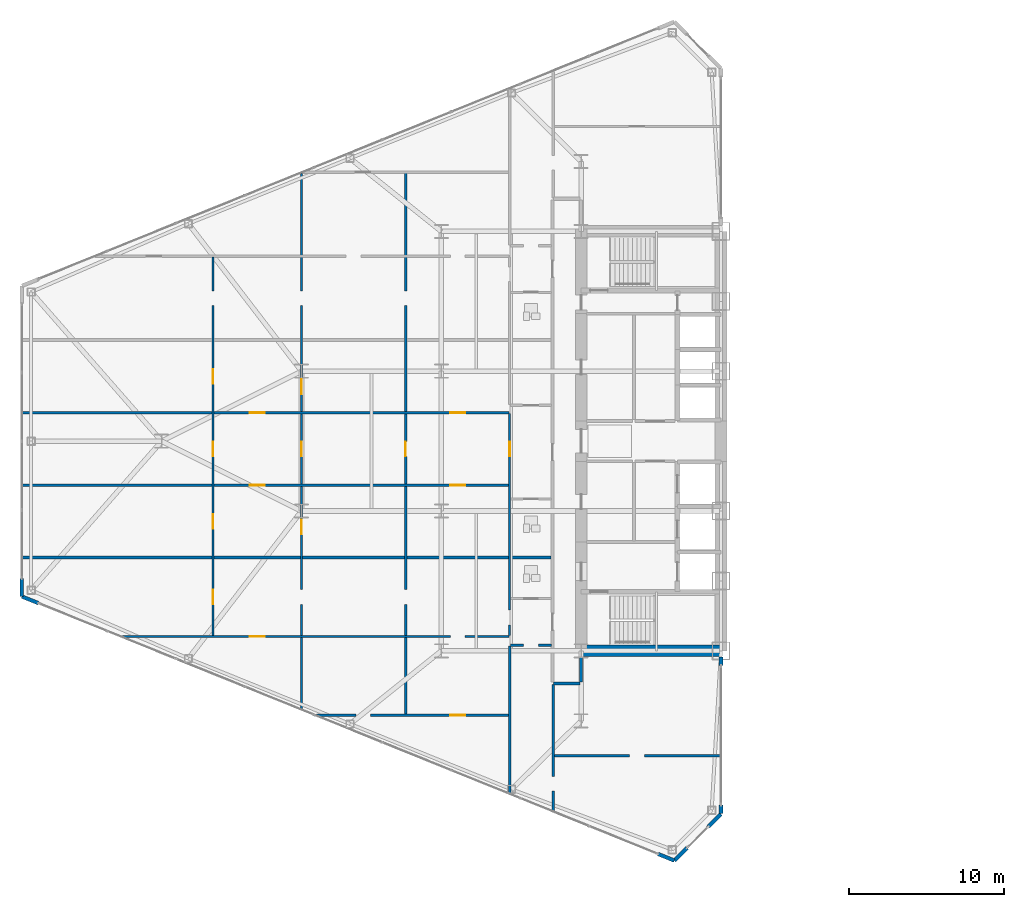
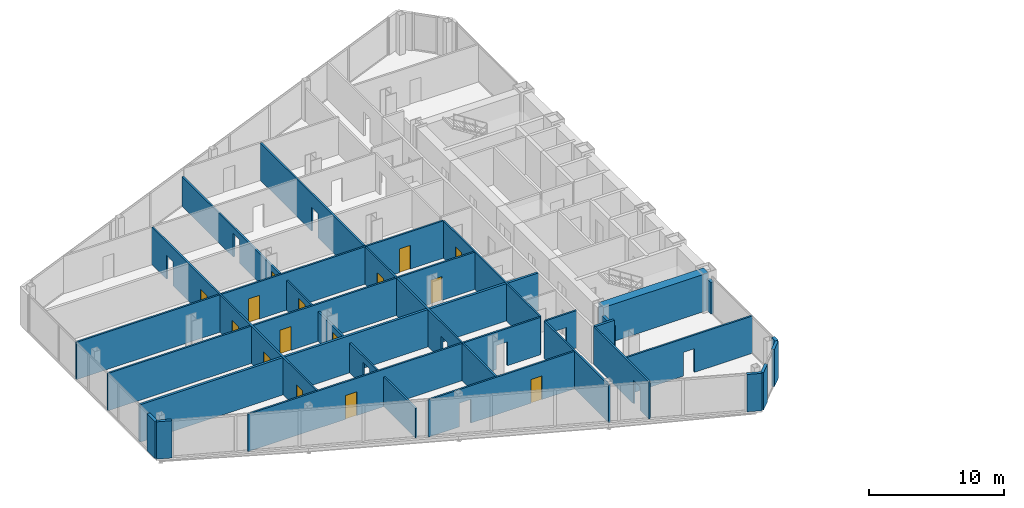
# One storey, part 17 of 25: 23 walls, 15 doors, 26 openings.
"""IFC4 building model written with IfcOpenShell, lengths in metres."""

from ifc_helpers import new_model, si_unit, direction, frame, frame_2d, origin, place, context, subcontext, project, spatial, rectangle, extrude, source, transform, mapped, material, layer, layer_set, type_object, type_shapes, element, fill, save


model = new_model("IFC4")

# Units and contexts
model_context = context("Model", 3, precision=1e-05, world=origin(), true_north=direction((0.0, 1.0)))
body_context = subcontext(model_context, "Body", "Model", "MODEL_VIEW")
ifc_project = project(units=[si_unit("LENGTHUNIT", "METRE"), si_unit("AREAUNIT", "SQUARE_METRE"), si_unit("VOLUMEUNIT", "CUBIC_METRE"), si_unit("PLANEANGLEUNIT", "RADIAN"), si_unit("MASSUNIT", "GRAM", prefix="KILO")], contexts=[model_context])

# Site, building, storey
site_placement = place(None, origin())
site = spatial("IfcSite", under=ifc_project, at=site_placement, CompositionType="ELEMENT")
building_placement = place(site_placement, origin())
building = spatial("IfcBuilding", under=site, at=building_placement, Name="Seokmaru Belvedere", CompositionType="ELEMENT")
storey_placement = place(building_placement, frame((0.0, 0.0, 22.5)))
storey = spatial("IfcBuildingStorey", under=building, at=storey_placement, Name="L05", CompositionType="ELEMENT", Elevation=22.5)

# Wall, opening
ifc_material_1 = material(Name="Fire-Rated Gypsum Shaftwall")
ifc_layer_1 = layer(ifc_material_1, 0.14990234375)
ifc_layer_set_1 = layer_set([ifc_layer_1], Name="Fire-Rated Gypsum Shaftwall")
wall_type_1 = type_object("IfcWallType", Name="Apartment Fire-Acoustic Room Partition 150", PredefinedType="PARTITIONING", material=ifc_layer_set_1)
wall_1_placement = place(storey_placement, frame((-38.25, -20.25, 0.0), z_axis=(0.0, 0.0, 1.0), x_axis=(1.0, 0.0, 0.0)))
wall_1 = element("IfcWall", 1, at=wall_1_placement, inside=storey, type_object=wall_type_1, Name="L05 Interior Partition 001", PredefinedType="PARTITIONING", context=body_context, shape_type="SweptSolid", body=[
    extrude(rectangle(XDim=10.784912109375, YDim=0.14990234375, at=frame_2d((5.392578125, 0.0))), origin(), (0.0, 0.0, 1.0), 3.3798828125),
])
opening_1_placement = place(wall_1_placement, frame((4.875, 0.0, 0.0)))
element("IfcOpeningElement", 2, at=opening_1_placement, cuts=wall_1, Name="L05 Cased Opening 013", PredefinedType="OPENING", context=body_context, shape_type="SweptSolid", body=[
    extrude(rectangle(XDim=0.949951171875, YDim=2.14990234375, at=frame_2d((0.47509765625, 1.074951171875))), frame((0.0, 0.0849609375, 0.0), z_axis=(0.0, -1.0, 0.0), x_axis=(1.0, 0.0, 0.0)), (0.0, 0.0, 1.0), 0.169921875),
])

# Wall, openings, door
wall_2_placement = place(storey_placement, frame((-53.659912109375, -17.639892578125, 0.0), z_axis=(0.0, 0.0, 1.0), x_axis=(1.0, 0.0, 0.0)))
wall_2 = element("IfcWall", 3, at=wall_2_placement, inside=storey, type_object=wall_type_1, Name="L05 Interior Partition 003", PredefinedType="PARTITIONING", context=body_context, shape_type="SweptSolid", body=[
    extrude(rectangle(XDim=12.510009765625, YDim=0.14990234375, at=frame_2d((6.2548828125, 0.0))), origin(), (0.0, 0.0, 1.0), 3.3798828125),
])
opening_2_placement = place(wall_2_placement, frame((8.735107421875, 0.0, 0.0)))
opening_2 = element("IfcOpeningElement", 4, at=opening_2_placement, cuts=wall_2, Name="Opening D05", PredefinedType="OPENING", context=body_context, shape_type="SweptSolid", body=[
    extrude(rectangle(XDim=0.949951171875, YDim=2.14990234375, at=frame_2d((0.47509765625, 1.074951171875))), frame((0.0, 0.0849609375, 0.0), z_axis=(0.0, -1.0, 0.0), x_axis=(1.0, 0.0, 0.0)), (0.0, 0.0, 1.0), 0.169921875),
])
opening_3_placement = place(wall_2_placement, frame((2.658935546875, 0.0, 0.0)))
element("IfcOpeningElement", 5, at=opening_3_placement, cuts=wall_2, Name="L05 Cased Opening 011", PredefinedType="OPENING", context=body_context, shape_type="SweptSolid", body=[
    extrude(rectangle(XDim=0.949951171875, YDim=2.14990234375, at=frame_2d((0.47509765625, 1.074951171875))), frame((0.0, 0.0849609375, 0.0), z_axis=(0.0, -1.0, 0.0), x_axis=(1.0, 0.0, 0.0)), (0.0, 0.0, 1.0), 0.169921875),
])
ifc_material_2 = material(Name="Engineered White Oak Timber", Category="wood")
door_type = type_object("IfcDoorType", Name="Apartment Interior Fire-Rated Oak Door 950x2150", OperationType="NOTDEFINED", PredefinedType="DOOR", material=ifc_material_2)
shared_shape = source(origin(), body_context, "Body", "SweptSolid", [
    extrude(rectangle(XDim=0.949951171875, YDim=2.14990234375, at=frame_2d((0.47509765625, 1.074951171875))), frame((0.0, 0.02490234375, 0.0), z_axis=(0.0, -1.0, 0.0), x_axis=(1.0, 0.0, 0.0)), (0.0, 0.0, 1.0), 0.050048828125),
])
type_shapes(door_type, [shared_shape])
door_1_placement = place(opening_2_placement, origin())
door_1 = element("IfcDoor", 6, at=door_1_placement, inside=storey, type_object=door_type, Name="L05 Interior Door 010", OperationType="SINGLE_SWING_LEFT", OverallHeight=2.14990234375, OverallWidth=0.949951171875, PredefinedType="DOOR", context=body_context, shape_type="MappedRepresentation", body=[
    mapped(shared_shape, transform((0.0, 0.0, 0.0), scale=1.0)),
])
fill(opening_2, door_1)

# Wall, opening
wall_3_placement = place(storey_placement, frame((-41.050048828125, -13.139892578125, 0.0), z_axis=(0.0, 0.0, 1.0), x_axis=(1.0, 0.0, 0.0)))
wall_3 = element("IfcWall", 7, at=wall_3_placement, inside=storey, type_object=wall_type_1, Name="L05 Interior Partition 009", PredefinedType="PARTITIONING", context=body_context, shape_type="SweptSolid", body=[
    extrude(rectangle(XDim=2.650146484375, YDim=0.14990234375, at=frame_2d((1.3251953125, 0.0))), origin(), (0.0, 0.0, 1.0), 3.3798828125),
])
opening_4_placement = place(wall_3_placement, frame((0.85009765625, 0.0, 0.0)))
element("IfcOpeningElement", 8, at=opening_4_placement, cuts=wall_3, Name="L05 Cased Opening 003", PredefinedType="OPENING", context=body_context, shape_type="SweptSolid", body=[
    extrude(rectangle(XDim=0.949951171875, YDim=2.14990234375, at=frame_2d((0.47509765625, 1.074951171875))), frame((0.0, 0.0849609375, 0.0), z_axis=(0.0, -1.0, 0.0), x_axis=(1.0, 0.0, 0.0)), (0.0, 0.0, 1.0), 0.169921875),
])

# Wall, openings, door
wall_4_placement = place(storey_placement, frame((-66.18603515625, -12.570068359375, 0.0), z_axis=(0.0, 0.0, 1.0), x_axis=(1.0, 0.0, 0.0)))
wall_4 = element("IfcWall", 9, at=wall_4_placement, inside=storey, type_object=wall_type_1, Name="L05 Interior Partition 010", PredefinedType="PARTITIONING", context=body_context, shape_type="SweptSolid", body=[
    extrude(rectangle(XDim=25.0361328125, YDim=0.14990234375, at=frame_2d((12.51806640625, 0.0))), origin(), (0.0, 0.0, 1.0), 3.3798828125),
])
opening_5_placement = place(wall_4_placement, frame((21.260986328125, 0.0, 0.0)))
element("IfcOpeningElement", 10, at=opening_5_placement, cuts=wall_4, Name="L05 Cased Opening 005", PredefinedType="OPENING", context=body_context, shape_type="SweptSolid", body=[
    extrude(rectangle(XDim=0.949951171875, YDim=2.14990234375, at=frame_2d((0.47509765625, 1.074951171875))), frame((0.0, 0.0849609375, 0.0), z_axis=(0.0, -1.0, 0.0), x_axis=(1.0, 0.0, 0.0)), (0.0, 0.0, 1.0), 0.169921875),
])
opening_6_placement = place(wall_4_placement, frame((8.361083984375, 0.0, 0.0)))
opening_6 = element("IfcOpeningElement", 11, at=opening_6_placement, cuts=wall_4, Name="Opening D05", PredefinedType="OPENING", context=body_context, shape_type="SweptSolid", body=[
    extrude(rectangle(XDim=0.949951171875, YDim=2.14990234375, at=frame_2d((0.47509765625, 1.074951171875))), frame((0.0, 0.0849609375, 0.0), z_axis=(0.0, -1.0, 0.0), x_axis=(1.0, 0.0, 0.0)), (0.0, 0.0, 1.0), 0.169921875),
])
door_2_placement = place(opening_6_placement, origin())
door_2 = element("IfcDoor", 12, at=door_2_placement, inside=storey, type_object=door_type, Name="L05 Interior Door 008", OperationType="SINGLE_SWING_LEFT", OverallHeight=2.14990234375, OverallWidth=0.949951171875, PredefinedType="DOOR", context=body_context, shape_type="MappedRepresentation", body=[
    mapped(shared_shape, transform((0.0, 0.0, 0.0), scale=1.0)),
])
fill(opening_6, door_2)

# Wall, openings, doors
wall_5_placement = place(storey_placement, frame((-72.534912109375, -2.830078125, 0.0), z_axis=(0.0, 0.0, 1.0), x_axis=(1.0, 0.0, 0.0)))
wall_5 = element("IfcWall", 13, at=wall_5_placement, inside=storey, type_object=wall_type_1, Name="L05 Interior Partition 018", PredefinedType="PARTITIONING", context=body_context, shape_type="SweptSolid", body=[
    extrude(rectangle(XDim=31.385009765625, YDim=0.14990234375, at=frame_2d((15.6923828125, 0.0))), origin(), (0.0, 0.0, 1.0), 3.3798828125),
])
opening_7_placement = place(wall_5_placement, frame((27.610107421875, 0.0, 0.0)))
opening_7 = element("IfcOpeningElement", 14, at=opening_7_placement, cuts=wall_5, Name="Opening D05", PredefinedType="OPENING", context=body_context, shape_type="SweptSolid", body=[
    extrude(rectangle(XDim=0.949951171875, YDim=2.14990234375, at=frame_2d((0.47509765625, 1.074951171875))), frame((0.0, 0.0849609375, 0.0), z_axis=(0.0, -1.0, 0.0), x_axis=(1.0, 0.0, 0.0)), (0.0, 0.0, 1.0), 0.169921875),
])
opening_8_placement = place(wall_5_placement, frame((14.7099609375, 0.0, 0.0)))
opening_8 = element("IfcOpeningElement", 15, at=opening_8_placement, cuts=wall_5, Name="Opening D05", PredefinedType="OPENING", context=body_context, shape_type="SweptSolid", body=[
    extrude(rectangle(XDim=0.949951171875, YDim=2.14990234375, at=frame_2d((0.47509765625, 1.074951171875))), frame((0.0, 0.0849609375, 0.0), z_axis=(0.0, -1.0, 0.0), x_axis=(1.0, 0.0, 0.0)), (0.0, 0.0, 1.0), 0.169921875),
])
door_3_placement = place(opening_7_placement, origin())
door_3 = element("IfcDoor", 16, at=door_3_placement, inside=storey, type_object=door_type, Name="L05 Interior Door 018", OperationType="SINGLE_SWING_LEFT", OverallHeight=2.14990234375, OverallWidth=0.949951171875, PredefinedType="DOOR", context=body_context, shape_type="MappedRepresentation", body=[
    mapped(shared_shape, transform((0.0, 0.0, 0.0), scale=1.0)),
])
fill(opening_7, door_3)
door_4_placement = place(opening_8_placement, origin())
door_4 = element("IfcDoor", 17, at=door_4_placement, inside=storey, type_object=door_type, Name="L05 Interior Door 022", OperationType="SINGLE_SWING_LEFT", OverallHeight=2.14990234375, OverallWidth=0.949951171875, PredefinedType="DOOR", context=body_context, shape_type="MappedRepresentation", body=[
    mapped(shared_shape, transform((0.0, 0.0, 0.0), scale=1.0)),
])
fill(opening_8, door_4)

wall_6_placement = place(storey_placement, frame((-72.534912109375, 1.830078125, 0.0), z_axis=(0.0, 0.0, 1.0), x_axis=(1.0, 0.0, 0.0)))
wall_6 = element("IfcWall", 18, at=wall_6_placement, inside=storey, type_object=wall_type_1, Name="L05 Interior Partition 021", PredefinedType="PARTITIONING", context=body_context, shape_type="SweptSolid", body=[
    extrude(rectangle(XDim=31.385009765625, YDim=0.14990234375, at=frame_2d((15.6923828125, 0.0))), origin(), (0.0, 0.0, 1.0), 3.3798828125),
])
opening_9_placement = place(wall_6_placement, frame((27.610107421875, 0.0, 0.0)))
opening_9 = element("IfcOpeningElement", 19, at=opening_9_placement, cuts=wall_6, Name="Opening D05", PredefinedType="OPENING", context=body_context, shape_type="SweptSolid", body=[
    extrude(rectangle(XDim=0.949951171875, YDim=2.14990234375, at=frame_2d((0.47509765625, 1.074951171875))), frame((0.0, 0.0849609375, 0.0), z_axis=(0.0, -1.0, 0.0), x_axis=(1.0, 0.0, 0.0)), (0.0, 0.0, 1.0), 0.169921875),
])
opening_10_placement = place(wall_6_placement, frame((14.7099609375, 0.0, 0.0)))
opening_10 = element("IfcOpeningElement", 20, at=opening_10_placement, cuts=wall_6, Name="Opening D05", PredefinedType="OPENING", context=body_context, shape_type="SweptSolid", body=[
    extrude(rectangle(XDim=0.949951171875, YDim=2.14990234375, at=frame_2d((0.47509765625, 1.074951171875))), frame((0.0, 0.0849609375, 0.0), z_axis=(0.0, -1.0, 0.0), x_axis=(1.0, 0.0, 0.0)), (0.0, 0.0, 1.0), 0.169921875),
])
door_5_placement = place(opening_9_placement, origin())
door_5 = element("IfcDoor", 21, at=door_5_placement, inside=storey, type_object=door_type, Name="L05 Interior Door 020", OperationType="SINGLE_SWING_RIGHT", OverallHeight=2.14990234375, OverallWidth=0.949951171875, PredefinedType="DOOR", context=body_context, shape_type="MappedRepresentation", body=[
    mapped(shared_shape, transform((0.0, 0.0, 0.0), scale=1.0)),
])
fill(opening_9, door_5)
door_6_placement = place(opening_10_placement, origin())
door_6 = element("IfcDoor", 22, at=door_6_placement, inside=storey, type_object=door_type, Name="L05 Interior Door 025", OperationType="SINGLE_SWING_LEFT", OverallHeight=2.14990234375, OverallWidth=0.949951171875, PredefinedType="DOOR", context=body_context, shape_type="MappedRepresentation", body=[
    mapped(shared_shape, transform((0.0, 0.0, 0.0), scale=1.0)),
])
fill(opening_10, door_6)

wall_7_placement = place(storey_placement, frame((-60.199951171875, -12.52001953125, 0.0), z_axis=(0.0, 0.0, 1.0), x_axis=(0.0, 1.0, 0.0)))
wall_7 = element("IfcWall", 23, at=wall_7_placement, inside=storey, type_object=wall_type_1, Name="L05 Interior Partition 038", PredefinedType="PARTITIONING", context=body_context, shape_type="SweptSolid", body=[
    extrude(rectangle(XDim=24.373046875, YDim=0.14990234375, at=frame_2d((12.1865234375, 0.0))), origin(), (0.0, 0.0, 1.0), 3.3798828125),
])
opening_11_placement = place(wall_7_placement, frame((2.010009765625, 0.0, 0.0)))
opening_11 = element("IfcOpeningElement", 24, at=opening_11_placement, cuts=wall_7, Name="Opening D05", PredefinedType="OPENING", context=body_context, shape_type="SweptSolid", body=[
    extrude(rectangle(XDim=0.949951171875, YDim=2.14990234375, at=frame_2d((0.47509765625, 1.074951171875))), frame((0.0, 0.0849609375, 0.0), z_axis=(0.0, -1.0, 0.0), x_axis=(1.0, 0.0, 0.0)), (0.0, 0.0, 1.0), 0.169921875),
])
opening_12_placement = place(wall_7_placement, frame((6.87841796875, 0.0, 0.0)))
opening_12 = element("IfcOpeningElement", 25, at=opening_12_placement, cuts=wall_7, Name="Opening D05", PredefinedType="OPENING", context=body_context, shape_type="SweptSolid", body=[
    extrude(rectangle(XDim=0.949951171875, YDim=2.14990234375, at=frame_2d((0.47509765625, 1.074951171875))), frame((0.0, 0.0849609375, 0.0), z_axis=(0.0, -1.0, 0.0), x_axis=(1.0, 0.0, 0.0)), (0.0, 0.0, 1.0), 0.169921875),
])
opening_13_placement = place(wall_7_placement, frame((11.544921875, 0.0, 0.0)))
opening_13 = element("IfcOpeningElement", 26, at=opening_13_placement, cuts=wall_7, Name="Opening D05", PredefinedType="OPENING", context=body_context, shape_type="SweptSolid", body=[
    extrude(rectangle(XDim=0.949951171875, YDim=2.14990234375, at=frame_2d((0.47509765625, 1.074951171875))), frame((0.0, 0.0849609375, 0.0), z_axis=(0.0, -1.0, 0.0), x_axis=(1.0, 0.0, 0.0)), (0.0, 0.0, 1.0), 0.169921875),
])
opening_14_placement = place(wall_7_placement, frame((16.211669921875, 0.0, 0.0)))
opening_14 = element("IfcOpeningElement", 27, at=opening_14_placement, cuts=wall_7, Name="Opening D05", PredefinedType="OPENING", context=body_context, shape_type="SweptSolid", body=[
    extrude(rectangle(XDim=0.949951171875, YDim=2.14990234375, at=frame_2d((0.47509765625, 1.074951171875))), frame((0.0, 0.0849609375, 0.0), z_axis=(0.0, -1.0, 0.0), x_axis=(1.0, 0.0, 0.0)), (0.0, 0.0, 1.0), 0.169921875),
])
opening_15_placement = place(wall_7_placement, frame((21.24658203125, 0.0, 0.0)))
element("IfcOpeningElement", 28, at=opening_15_placement, cuts=wall_7, Name="L05 Cased Opening 036", PredefinedType="OPENING", context=body_context, shape_type="SweptSolid", body=[
    extrude(rectangle(XDim=0.949951171875, YDim=2.14990234375, at=frame_2d((0.47509765625, 1.074951171875))), frame((0.0, 0.0849609375, 0.0), z_axis=(0.0, -1.0, 0.0), x_axis=(1.0, 0.0, 0.0)), (0.0, 0.0, 1.0), 0.169921875),
])
door_7_placement = place(opening_11_placement, origin())
door_7 = element("IfcDoor", 29, at=door_7_placement, inside=storey, type_object=door_type, Name="L05 Interior Door 009", OperationType="SINGLE_SWING_RIGHT", OverallHeight=2.14990234375, OverallWidth=0.949951171875, PredefinedType="DOOR", context=body_context, shape_type="MappedRepresentation", body=[
    mapped(shared_shape, transform((0.0, 0.0, 0.0), scale=1.0)),
])
fill(opening_11, door_7)
door_8_placement = place(opening_12_placement, origin())
door_8 = element("IfcDoor", 30, at=door_8_placement, inside=storey, type_object=door_type, Name="L05 Interior Door 023", OperationType="SINGLE_SWING_RIGHT", OverallHeight=2.14990234375, OverallWidth=0.949951171875, PredefinedType="DOOR", context=body_context, shape_type="MappedRepresentation", body=[
    mapped(shared_shape, transform((0.0, 0.0, 0.0), scale=1.0)),
])
fill(opening_12, door_8)
door_9_placement = place(opening_13_placement, origin())
door_9 = element("IfcDoor", 31, at=door_9_placement, inside=storey, type_object=door_type, Name="L05 Interior Door 024", OperationType="SINGLE_SWING_RIGHT", OverallHeight=2.14990234375, OverallWidth=0.949951171875, PredefinedType="DOOR", context=body_context, shape_type="MappedRepresentation", body=[
    mapped(shared_shape, transform((0.0, 0.0, 0.0), scale=1.0)),
])
fill(opening_13, door_9)
door_10_placement = place(opening_14_placement, origin())
door_10 = element("IfcDoor", 32, at=door_10_placement, inside=storey, type_object=door_type, Name="L05 Interior Door 026", OperationType="SINGLE_SWING_RIGHT", OverallHeight=2.14990234375, OverallWidth=0.949951171875, PredefinedType="DOOR", context=body_context, shape_type="MappedRepresentation", body=[
    mapped(shared_shape, transform((0.0, 0.0, 0.0), scale=1.0)),
])
fill(opening_14, door_10)

wall_8_placement = place(storey_placement, frame((-54.5, -17.321044921875, 0.0), z_axis=(0.0, 0.0, 1.0), x_axis=(0.0, 1.0, 0.0)))
wall_8 = element("IfcWall", 33, at=wall_8_placement, inside=storey, type_object=wall_type_1, Name="L05 Interior Partition 039", PredefinedType="PARTITIONING", context=body_context, shape_type="SweptSolid", body=[
    extrude(rectangle(XDim=34.55712890625, YDim=0.14990234375, at=frame_2d((17.278564453125, 0.0))), origin(), (0.0, 0.0, 1.0), 2.679931640625),
])
opening_16_placement = place(wall_8_placement, frame((6.81103515625, 0.0, 0.0)))
element("IfcOpeningElement", 34, at=opening_16_placement, cuts=wall_8, Name="L05 Cased Opening 007", PredefinedType="OPENING", context=body_context, shape_type="SweptSolid", body=[
    extrude(rectangle(XDim=0.949951171875, YDim=2.14990234375, at=frame_2d((0.47509765625, 1.074951171875))), frame((0.0, 0.0849609375, 0.0), z_axis=(0.0, -1.0, 0.0), x_axis=(1.0, 0.0, 0.0)), (0.0, 0.0, 1.0), 0.169921875),
])
opening_17_placement = place(wall_8_placement, frame((16.345947265625, 0.0, 0.0)))
opening_17 = element("IfcOpeningElement", 35, at=opening_17_placement, cuts=wall_8, Name="Opening D05", PredefinedType="OPENING", context=body_context, shape_type="SweptSolid", body=[
    extrude(rectangle(XDim=0.949951171875, YDim=2.14990234375, at=frame_2d((0.47509765625, 1.074951171875))), frame((0.0, 0.0849609375, 0.0), z_axis=(0.0, -1.0, 0.0), x_axis=(1.0, 0.0, 0.0)), (0.0, 0.0, 1.0), 0.169921875),
])
opening_18_placement = place(wall_8_placement, frame((11.312255859375, 0.0, 0.0)))
opening_18 = element("IfcOpeningElement", 36, at=opening_18_placement, cuts=wall_8, Name="Opening D05", PredefinedType="OPENING", context=body_context, shape_type="SweptSolid", body=[
    extrude(rectangle(XDim=0.949951171875, YDim=2.14990234375, at=frame_2d((0.47509765625, 1.074951171875))), frame((0.0, 0.0849609375, 0.0), z_axis=(0.0, -1.0, 0.0), x_axis=(1.0, 0.0, 0.0)), (0.0, 0.0, 1.0), 0.169921875),
])
opening_19_placement = place(wall_8_placement, frame((20.351806640625, 0.0, 0.0)))
opening_19 = element("IfcOpeningElement", 37, at=opening_19_placement, cuts=wall_8, Name="Opening D05", PredefinedType="OPENING", context=body_context, shape_type="SweptSolid", body=[
    extrude(rectangle(XDim=0.949951171875, YDim=2.14990234375, at=frame_2d((0.47509765625, 1.074951171875))), frame((0.0, 0.0849609375, 0.0), z_axis=(0.0, -1.0, 0.0), x_axis=(1.0, 0.0, 0.0)), (0.0, 0.0, 1.0), 0.169921875),
])
opening_20_placement = place(wall_8_placement, frame((26.047607421875, 0.0, 0.0)))
element("IfcOpeningElement", 38, at=opening_20_placement, cuts=wall_8, Name="L05 Cased Opening 035", PredefinedType="OPENING", context=body_context, shape_type="SweptSolid", body=[
    extrude(rectangle(XDim=0.949951171875, YDim=2.14990234375, at=frame_2d((0.47509765625, 1.074951171875))), frame((0.0, 0.0849609375, 0.0), z_axis=(0.0, -1.0, 0.0), x_axis=(1.0, 0.0, 0.0)), (0.0, 0.0, 1.0), 0.169921875),
])
door_11_placement = place(opening_17_placement, origin())
door_11 = element("IfcDoor", 39, at=door_11_placement, inside=storey, type_object=door_type, Name="L05 Interior Door 021", OperationType="SINGLE_SWING_RIGHT", OverallHeight=2.14990234375, OverallWidth=0.949951171875, PredefinedType="DOOR", context=body_context, shape_type="MappedRepresentation", body=[
    mapped(shared_shape, transform((0.0, 0.0, 0.0), scale=1.0)),
])
fill(opening_17, door_11)
door_12_placement = place(opening_18_placement, origin())
door_12 = element("IfcDoor", 40, at=door_12_placement, inside=storey, type_object=door_type, Name="L05 Interior Door 027", OperationType="SINGLE_SWING_RIGHT", OverallHeight=2.14990234375, OverallWidth=0.949951171875, PredefinedType="DOOR", context=body_context, shape_type="MappedRepresentation", body=[
    mapped(shared_shape, transform((0.0, 0.0, 0.0), scale=1.0)),
])
fill(opening_18, door_12)
door_13_placement = place(opening_19_placement, origin())
door_13 = element("IfcDoor", 41, at=door_13_placement, inside=storey, type_object=door_type, Name="L05 Interior Door 028", OperationType="SINGLE_SWING_LEFT", OverallHeight=2.14990234375, OverallWidth=0.949951171875, PredefinedType="DOOR", context=body_context, shape_type="MappedRepresentation", body=[
    mapped(shared_shape, transform((0.0, 0.0, 0.0), scale=1.0)),
])
fill(opening_19, door_13)

# Wall, openings, door
wall_9_placement = place(storey_placement, frame((-47.800048828125, -17.590087890625, 0.0), z_axis=(0.0, 0.0, 1.0), x_axis=(0.0, 1.0, 0.0)))
wall_9 = element("IfcWall", 42, at=wall_9_placement, inside=storey, type_object=wall_type_1, Name="L05 Interior Partition 040", PredefinedType="PARTITIONING", context=body_context, shape_type="SweptSolid", body=[
    extrude(rectangle(XDim=34.84619140625, YDim=0.14990234375, at=frame_2d((17.423095703125, 0.0))), origin(), (0.0, 0.0, 1.0), 3.3798828125),
])
opening_21_placement = place(wall_9_placement, frame((7.080078125, 0.0, 0.0)))
element("IfcOpeningElement", 43, at=opening_21_placement, cuts=wall_9, Name="L05 Cased Opening 006", PredefinedType="OPENING", context=body_context, shape_type="SweptSolid", body=[
    extrude(rectangle(XDim=0.949951171875, YDim=2.14990234375, at=frame_2d((0.47509765625, 1.074951171875))), frame((0.0, 0.0849609375, 0.0), z_axis=(0.0, -1.0, 0.0), x_axis=(1.0, 0.0, 0.0)), (0.0, 0.0, 1.0), 0.169921875),
])
opening_22_placement = place(wall_9_placement, frame((16.614990234375, 0.0, 0.0)))
opening_22 = element("IfcOpeningElement", 44, at=opening_22_placement, cuts=wall_9, Name="Opening D05", PredefinedType="OPENING", context=body_context, shape_type="SweptSolid", body=[
    extrude(rectangle(XDim=0.949951171875, YDim=2.14990234375, at=frame_2d((0.47509765625, 1.074951171875))), frame((0.0, 0.0849609375, 0.0), z_axis=(0.0, -1.0, 0.0), x_axis=(1.0, 0.0, 0.0)), (0.0, 0.0, 1.0), 0.169921875),
])
opening_23_placement = place(wall_9_placement, frame((26.316650390625, 0.0, 0.0)))
element("IfcOpeningElement", 45, at=opening_23_placement, cuts=wall_9, Name="L05 Cased Opening 033", PredefinedType="OPENING", context=body_context, shape_type="SweptSolid", body=[
    extrude(rectangle(XDim=0.949951171875, YDim=2.14990234375, at=frame_2d((0.47509765625, 1.074951171875))), frame((0.0, 0.0849609375, 0.0), z_axis=(0.0, -1.0, 0.0), x_axis=(1.0, 0.0, 0.0)), (0.0, 0.0, 1.0), 0.169921875),
])
door_14_placement = place(opening_22_placement, origin())
door_14 = element("IfcDoor", 46, at=door_14_placement, inside=storey, type_object=door_type, Name="L05 Interior Door 019", OperationType="SINGLE_SWING_RIGHT", OverallHeight=2.14990234375, OverallWidth=0.949951171875, PredefinedType="DOOR", context=body_context, shape_type="MappedRepresentation", body=[
    mapped(shared_shape, transform((0.0, 0.0, 0.0), scale=1.0)),
])
fill(opening_22, door_14)

# Wall
wall_10_placement = place(storey_placement, frame((-41.10009765625, -22.743896484375, 0.0), z_axis=(0.0, 0.0, 1.0), x_axis=(0.0, 1.0, 0.0)))
element("IfcWall", 47, at=wall_10_placement, inside=storey, type_object=wall_type_1, Name="L05 Interior Partition 041", PredefinedType="PARTITIONING", context=body_context, shape_type="SweptSolid", body=[
    extrude(rectangle(XDim=9.548828125, YDim=0.14990234375, at=frame_2d((4.7744140625, 0.0))), origin(), (0.0, 0.0, 1.0), 3.3798828125),
])

# Wall, opening
wall_11_placement = place(storey_placement, frame((-38.300048828125, -23.8779296875, 0.0), z_axis=(0.0, 0.0, 1.0), x_axis=(0.0, 1.0, 0.0)))
wall_11 = element("IfcWall", 48, at=wall_11_placement, inside=storey, type_object=wall_type_1, Name="L05 Interior Partition 046", PredefinedType="PARTITIONING", context=body_context, shape_type="SweptSolid", body=[
    extrude(rectangle(XDim=8.22802734375, YDim=0.14990234375, at=frame_2d((4.114013671875, 0.0))), origin(), (0.0, 0.0, 1.0), 3.3798828125),
])
opening_24_placement = place(wall_11_placement, frame((1.356689453125, 0.0, 0.0)))
element("IfcOpeningElement", 49, at=opening_24_placement, cuts=wall_11, Name="L05 Cased Opening 012", PredefinedType="OPENING", context=body_context, shape_type="SweptSolid", body=[
    extrude(rectangle(XDim=0.949951171875, YDim=2.14990234375, at=frame_2d((0.47509765625, 1.074951171875))), frame((0.0, 0.0849609375, 0.0), z_axis=(0.0, -1.0, 0.0), x_axis=(1.0, 0.0, 0.0)), (0.0, 0.0, 1.0), 0.169921875),
])

# Walls
ifc_layer_2 = layer(ifc_material_1, 0.199951171875)
ifc_layer_set_2 = layer_set([ifc_layer_2], Name="Fire-Rated Gypsum Shaftwall")
wall_type_2 = type_object("IfcWallType", Name="Inter-Tenancy Fire Compartment Partition 200", PredefinedType="PARTITIONING", material=ifc_layer_set_2)
wall_12_placement = place(storey_placement, frame((-38.264892578125, -15.60009765625, 0.0), z_axis=(0.0, 0.0, 1.0), x_axis=(1.0, 0.0, 0.0)))
element("IfcWall", 50, at=wall_12_placement, inside=storey, type_object=wall_type_2, Name="L05 Interior Partition 005", PredefinedType="PARTITIONING", context=body_context, shape_type="SweptSolid", body=[
    extrude(rectangle(XDim=1.679931640625, YDim=0.199951171875, at=frame_2d((0.83984375, 0.0))), origin(), (0.0, 0.0, 1.0), 3.3798828125),
])
wall_13_placement = place(storey_placement, frame((-72.5048828125, -7.5, 0.0), z_axis=(0.0, 0.0, 1.0), x_axis=(1.0, 0.0, 0.0)))
element("IfcWall", 51, at=wall_13_placement, inside=storey, type_object=wall_type_2, Name="L05 Interior Partition 014", PredefinedType="PARTITIONING", context=body_context, shape_type="SweptSolid", body=[
    extrude(rectangle(XDim=34.074951171875, YDim=0.199951171875, at=frame_2d((17.03759765625, 0.0))), origin(), (0.0, 0.0, 1.0), 3.3798828125),
])
wall_14_placement = place(storey_placement, frame((-36.5, -15.514892578125, 0.0), z_axis=(0.0, 0.0, 1.0), x_axis=(0.0, 1.0, 0.0)))
element("IfcWall", 52, at=wall_14_placement, inside=storey, type_object=wall_type_2, Name="L05 Interior Partition 048", PredefinedType="PARTITIONING", context=body_context, shape_type="SweptSolid", body=[
    extrude(rectangle(XDim=1.635009765625, YDim=0.199951171875, at=frame_2d((0.8173828125, 0.0))), origin(), (0.0, 0.0, 1.0), 2.679931640625),
])
ifc_material_3 = material(Name="Concrete C60 (60 MPa)", Category="concrete")
ifc_layer_3 = layer(ifc_material_3, 0.75)
ifc_layer_set_3 = layer_set([ifc_layer_3], Name="Concrete C60 (60 MPa)")
wall_type_3 = type_object("IfcWallType", Name="Lower Tower Reinforced Concrete Core Wall 750", PredefinedType="SHEAR", material=ifc_layer_set_3)
wall_15_placement = place(storey_placement, frame((-36.5, -13.5, 0.0), z_axis=(0.0, 0.0, 1.0), x_axis=(1.0, 0.0, 0.0)))
element("IfcWall", 53, at=wall_15_placement, inside=storey, type_object=wall_type_3, Name="L05 West South Core Wall", PredefinedType="SHEAR", context=body_context, shape_type="SweptSolid", body=[
    extrude(rectangle(XDim=9.0, YDim=0.75, at=frame_2d((4.5, 0.0))), origin(), (0.0, 0.0, 1.0), 3.3798828125),
])

# Wall, openings, door
ifc_layer_4 = layer(ifc_material_1, 0.1298828125)
ifc_layer_set_4 = layer_set([ifc_layer_4], Name="Fire-Rated Gypsum Shaftwall")
wall_type_4 = type_object("IfcWallType", Name="Moisture-Resistant Fire-Rated Bathroom Partition 130", PredefinedType="PARTITIONING", material=ifc_layer_set_4)
wall_16_placement = place(storey_placement, frame((-41.10009765625, -12.52001953125, 0.0), z_axis=(0.0, 0.0, 1.0), x_axis=(0.0, 1.0, 0.0)))
wall_16 = element("IfcWall", 54, at=wall_16_placement, inside=storey, type_object=wall_type_4, Name="L05 Interior Partition 042", PredefinedType="PARTITIONING", context=body_context, shape_type="SweptSolid", body=[
    extrude(rectangle(XDim=14.302978515625, YDim=0.1298828125, at=frame_2d((7.1513671875, 0.0))), origin(), (0.0, 0.0, 1.0), 3.3798828125),
])
opening_25_placement = place(wall_16_placement, frame((0.6875, 0.0, 0.0)))
element("IfcOpeningElement", 55, at=opening_25_placement, cuts=wall_16, Name="L05 Cased Opening 004", PredefinedType="OPENING", context=body_context, shape_type="SweptSolid", body=[
    extrude(rectangle(XDim=0.949951171875, YDim=2.14990234375, at=frame_2d((0.47509765625, 1.074951171875))), frame((0.0, 0.074951171875, 0.0), z_axis=(0.0, -1.0, 0.0), x_axis=(1.0, 0.0, 0.0)), (0.0, 0.0, 1.0), 0.14990234375),
])
opening_26_placement = place(wall_16_placement, frame((11.544921875, 0.0, 0.0)))
opening_26 = element("IfcOpeningElement", 56, at=opening_26_placement, cuts=wall_16, Name="Opening D05", PredefinedType="OPENING", context=body_context, shape_type="SweptSolid", body=[
    extrude(rectangle(XDim=0.949951171875, YDim=2.14990234375, at=frame_2d((0.47509765625, 1.074951171875))), frame((0.0, 0.074951171875, 0.0), z_axis=(0.0, -1.0, 0.0), x_axis=(1.0, 0.0, 0.0)), (0.0, 0.0, 1.0), 0.14990234375),
])
door_15_placement = place(opening_26_placement, origin())
door_15 = element("IfcDoor", 57, at=door_15_placement, inside=storey, type_object=door_type, Name="L05 Interior Door 017", OperationType="SINGLE_SWING_RIGHT", OverallHeight=2.14990234375, OverallWidth=0.949951171875, PredefinedType="DOOR", context=body_context, shape_type="MappedRepresentation", body=[
    mapped(shared_shape, transform((0.0, 0.0, 0.0), scale=1.0)),
])
fill(opening_26, door_15)

# Walls
ifc_material_4 = material(Name="Anodised Bronze Aluminium", Category="aluminium")
ifc_layer_5 = layer(ifc_material_4, 0.239990234375)
ifc_layer_set_5 = layer_set([ifc_layer_5], Name="Anodised Bronze Aluminium")
wall_type_5 = type_object("IfcWallType", Name="Tower Corner Spandrel Closure Wall 240", PredefinedType="SOLIDWALL", material=ifc_layer_set_5)
wall_17_placement = place(storey_placement, frame((-27.5, -23.97998046875, 0.0), z_axis=(0.0, 0.0, 1.0), x_axis=(0.0, 1.0, 0.0)))
element("IfcWall", 58, at=wall_17_placement, inside=storey, type_object=wall_type_5, Name="L05 W Spine Closure Pier 1A", PredefinedType="SOLIDWALL", context=body_context, shape_type="SweptSolid", body=[
    extrude(rectangle(XDim=0.550048828125, YDim=0.239990234375, at=frame_2d((0.27490234375, 0.0))), origin(), (0.0, 0.0, 1.0), 3.3798828125),
])
wall_18_placement = place(storey_placement, frame((-27.5, -14.429931640625, 0.0), z_axis=(0.0, 0.0, 1.0), x_axis=(0.0, 1.0, 0.0)))
element("IfcWall", 59, at=wall_18_placement, inside=storey, type_object=wall_type_5, Name="L05 W Spine Closure Pier 1B", PredefinedType="SOLIDWALL", context=body_context, shape_type="SweptSolid", body=[
    extrude(rectangle(XDim=0.550048828125, YDim=0.239990234375, at=frame_2d((0.27490234375, 0.0))), origin(), (0.0, 0.0, 1.0), 2.8798828125),
])
for number, where, z_axis, x_axis, name in (
    (60, (-72.5, -8.85009765625, 0.0), (0.0, 0.0, 1.0), (0.0, -1.0, 0.0), "L05 W Corner Closure Pier 4B"),
    (61, (-72.49072265625, -10.00390625, 0.0), (0.0, 0.0, 1.0), (0.927007103665, -0.375043770452, 0.0), "L05 W Corner Closure Pier 5A"),
    (62, (-31.56591796875, -26.568603515625, 0.0), (0.0, 0.0, 1.0), (0.927007103665, -0.375043770452, 0.0), "L05 W Corner Closure Pier 5B"),
):
    element("IfcWall", number, at=place(storey_placement, frame(where, z_axis=z_axis, x_axis=x_axis)), inside=storey, type_object=wall_type_5, Name=name, PredefinedType="SOLIDWALL", context=body_context, shape_type="SweptSolid", body=[
        extrude(rectangle(XDim=1.139892578125, YDim=0.239990234375, at=frame_2d((0.56982421875, 0.0))), origin(), (0.0, 0.0, 1.0), 3.3798828125),
    ])
for number, where, z_axis, x_axis, name in (
    (63, (-30.492919921875, -26.992919921875, 0.0), (0.0, 0.0, 1.0), (0.707106781187, 0.707106781187, 0.0), "L05 W Corner Closure Pier 6A"),
    (64, (-28.313232421875, -24.813232421875, 0.0), (0.0, 0.0, 1.0), (0.707106781187, 0.707106781187, 0.0), "L05 W Corner Closure Pier 6B"),
):
    element("IfcWall", number, at=place(storey_placement, frame(where, z_axis=z_axis, x_axis=x_axis)), inside=storey, type_object=wall_type_5, Name=name, PredefinedType="SOLIDWALL", context=body_context, shape_type="SweptSolid", body=[
        extrude(rectangle(XDim=1.14013671875, YDim=0.239990234375, at=frame_2d((0.570068359375, 0.0))), origin(), (0.0, 0.0, 1.0), 3.3798828125),
    ])

save(model, "model.ifc")
